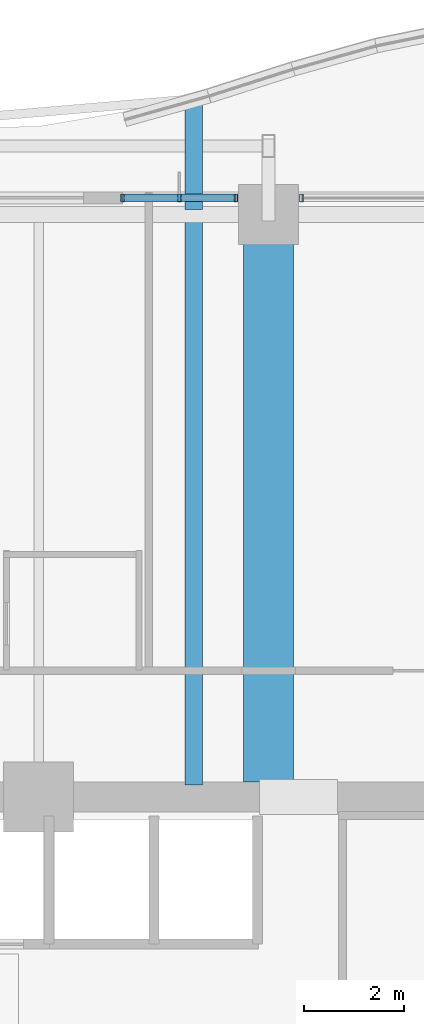
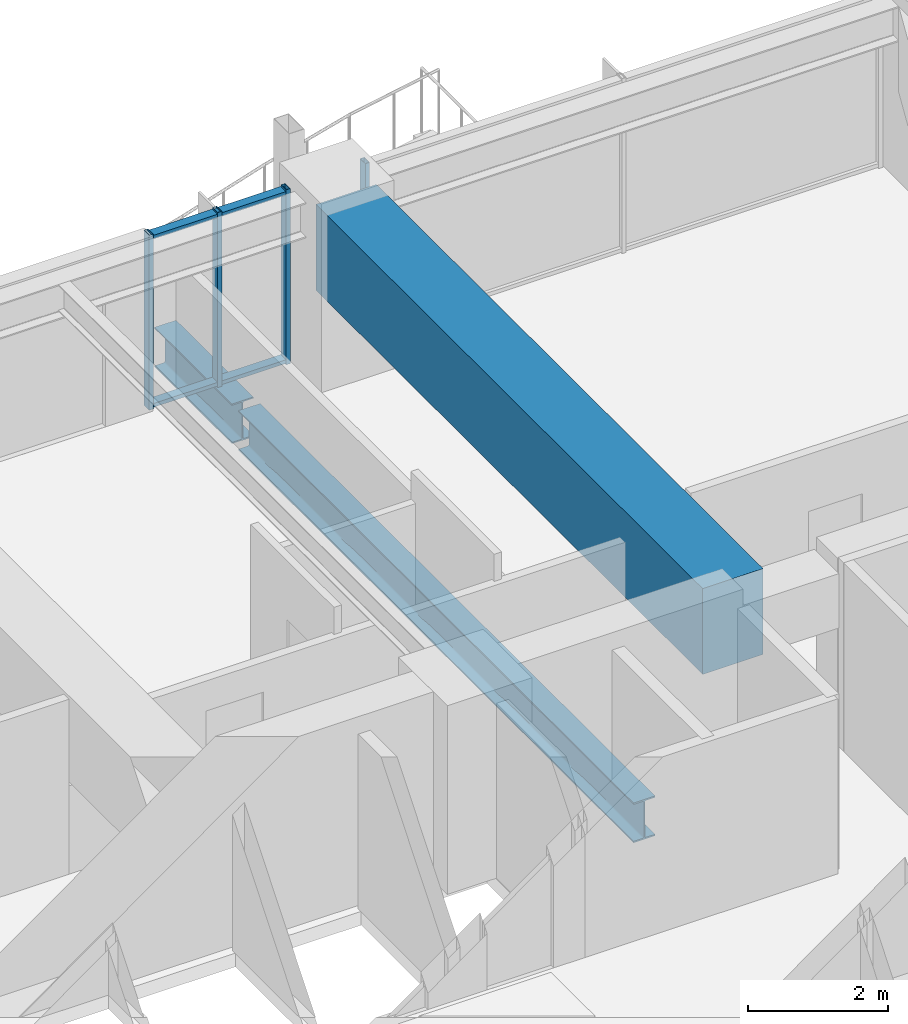
# One storey, part 21 of 37: 6 members, 3 beams, 2 elements without a shape of their own.
"""IFC4 building model written with IfcOpenShell, lengths in metres."""

from ifc_helpers import new_model, si_unit, direction, frame, origin, origin_2d, place, context, subcontext, project, spatial, rectangle, hollow_rectangle, i_section, extrude, material, material_profile, profile_set, type_object, element, aggregate, save


model = new_model("IFC4")

# Units and contexts
model_context = context("Model", 3, precision=1e-05, world=origin(), true_north=direction((0.0, 1.0)))
body_context = subcontext(model_context, "Body", "Model", "MODEL_VIEW")
ifc_project = project(units=[si_unit("LENGTHUNIT", "METRE"), si_unit("AREAUNIT", "SQUARE_METRE"), si_unit("VOLUMEUNIT", "CUBIC_METRE"), si_unit("PLANEANGLEUNIT", "RADIAN"), si_unit("MASSUNIT", "GRAM", prefix="KILO")], contexts=[model_context])

# Site, building, storey
site_placement = place(None, origin())
site = spatial("IfcSite", under=ifc_project, at=site_placement, CompositionType="ELEMENT")
building_placement = place(site_placement, origin())
building = spatial("IfcBuilding", under=site, at=building_placement, Name="Kolvaren Belvedere", CompositionType="ELEMENT")
storey_placement = place(building_placement, frame((0.0, 0.0, 43.60009765625)))
storey = spatial("IfcBuildingStorey", under=building, at=storey_placement, Name="L12", CompositionType="ELEMENT", Elevation=43.60009765625)

# Beams
ifc_material_1 = material(Name="Structural steel ASTM A992 Grade 50", Category="steel")
ifc_material_profile_1 = material_profile(ifc_material_1, i_section(OverallWidth=0.35498046875, OverallDepth=0.696044921875, WebThickness=0.015380859375, FlangeThickness=0.02490234375, FilletRadius=0.02197265625, at=origin_2d()), Name="W27X146")
ifc_profile_set_1 = profile_set([ifc_material_profile_1], Name="Structural steel ASTM A992 Grade 50")
beam_type_1 = type_object("IfcBeamType", Name="BM-CANT-BAL", PredefinedType="BEAM", material=ifc_profile_set_1)
beam_1_placement = place(storey_placement, frame((3.10009765625, 21.64501953125, -0.588134765625), z_axis=(0.0, 1.0, 0.0), x_axis=(-1.0, 0.0, 0.0)))
element("IfcBeam", 1, at=beam_1_placement, inside=storey, type_object=beam_type_1, Name="L12 Planted Balcony Cantilever BAL-N-2", PredefinedType="BEAM", context=body_context, shape_type="SweptSolid", body=[
    extrude(i_section(OverallWidth=0.35498046875, OverallDepth=0.696044921875, WebThickness=0.015380859375, FlangeThickness=0.02490234375, FilletRadius=0.02197265625, at=origin_2d()), origin(), (0.0, 0.0, 1.0), 2.213623046875),
])
ifc_material_2 = material(Name="Structural steel ASTM A992 Grade 50", Category="steel")
ifc_material_profile_2 = material_profile(ifc_material_2, i_section(OverallWidth=0.35498046875, OverallDepth=0.696044921875, WebThickness=0.015380859375, FlangeThickness=0.02490234375, FilletRadius=0.02197265625, at=origin_2d()), Name="W27X146")
ifc_profile_set_2 = profile_set([ifc_material_profile_2], Name="Structural steel ASTM A992 Grade 50")
beam_type_2 = type_object("IfcBeamType", Name="BM-GIRD-W27X146", PredefinedType="BEAM", material=ifc_profile_set_2)
beam_2_placement = place(storey_placement, frame((3.10009765625, 10.139892578125, -0.588134765625), z_axis=(0.0, 1.0, 0.0), x_axis=(-1.0, 0.0, 0.0)))
element("IfcBeam", 2, at=beam_2_placement, inside=storey, type_object=beam_type_2, Name="L12 Balcony Interior Back-Span Girder BAL-N-2", PredefinedType="BEAM", context=body_context, shape_type="SweptSolid", body=[
    extrude(i_section(OverallWidth=0.35498046875, OverallDepth=0.696044921875, WebThickness=0.015380859375, FlangeThickness=0.02490234375, FilletRadius=0.02197265625, at=origin_2d()), origin(), (0.0, 0.0, 1.0), 11.315185546875),
])
ifc_material_3 = material(Name="Concrete C50/60", Category="concrete")
ifc_material_profile_3 = material_profile(ifc_material_3, rectangle(XDim=1.0, YDim=1.5, at=origin_2d()), Name="RC 1000X1500")
ifc_profile_set_3 = profile_set([ifc_material_profile_3], Name="Concrete C50/60")
beam_type_3 = type_object("IfcBeamType", Name="BM-TG-1500", PredefinedType="BEAM", material=ifc_profile_set_3)
beam_3_placement = place(storey_placement, frame((4.60009765625, 10.199951171875, 2.309814453125), z_axis=(0.0, 1.0, 0.0), x_axis=(-1.0, 0.0, 0.0)))
element("IfcBeam", 3, at=beam_3_placement, inside=storey, type_object=beam_type_3, Name="L12 North Radial Girder P", PredefinedType="BEAM", context=body_context, shape_type="SweptSolid", body=[
    extrude(rectangle(XDim=1.0, YDim=1.5, at=origin_2d()), origin(), (0.0, 0.0, 1.0), 11.080078125),
])

# Curtain wall, members
ifc_material_4 = material(Name="Anodised pale-metal aluminium AA 6063-T6", Category="aluminium")
curtain_wall_type = type_object("IfcCurtainWallType", Name="CW-Z1-LOW", PredefinedType="NOTDEFINED", material=ifc_material_4)
curtain_wall_1_placement = place(storey_placement, origin())
curtain_wall_1 = element("IfcCurtainWall", 4, at=curtain_wall_1_placement, inside=storey, type_object=curtain_wall_type, Name="L12 Unitised Curtain Wall FCW-L12-N2-B1", PredefinedType="NOTDEFINED")
ifc_material_5 = material(Name="Anodised pale-metal aluminium AA 6063-T6", Category="aluminium")
ifc_material_profile_4 = material_profile(ifc_material_5, hollow_rectangle(XDim=0.070068359375, YDim=0.14990234375, WallThickness=0.004150390625, at=origin_2d()), Name="ALU-MUL-150X70")
ifc_profile_set_4 = profile_set([ifc_material_profile_4], Name="Anodised pale-metal aluminium AA 6063-T6")
member_type_1 = type_object("IfcMemberType", Name="CW-MUL-150", PredefinedType="MULLION", material=ifc_profile_set_4)
member_1_placement = place(storey_placement, frame((1.679931640625, 21.8798828125, 0.0), z_axis=(0.0, 0.0, 1.0), x_axis=(1.0, 0.0, 0.0)))
member_1 = element("IfcMember", 5, at=member_1_placement, type_object=member_type_1, Name="FCW-L12-N2-B1 Unitised Mullion 1", PredefinedType="MULLION", context=body_context, shape_type="SweptSolid", body=[
    extrude(hollow_rectangle(XDim=0.070068359375, YDim=0.14990234375, WallThickness=0.004150390625, at=origin_2d()), origin(), (0.0, 0.0, 1.0), 3.059814453125),
])
member_2_placement = place(storey_placement, frame((2.8125, 21.8798828125, 0.0), z_axis=(0.0, 0.0, 1.0), x_axis=(1.0, 0.0, 0.0)))
member_2 = element("IfcMember", 6, at=member_2_placement, type_object=member_type_1, Name="FCW-L12-N2-B1 Unitised Mullion 2", PredefinedType="MULLION", context=body_context, shape_type="SweptSolid", body=[
    extrude(hollow_rectangle(XDim=0.070068359375, YDim=0.14990234375, WallThickness=0.004150390625, at=origin_2d()), origin(), (0.0, 0.0, 1.0), 3.059814453125),
])
member_3_placement = place(storey_placement, frame((3.945068359375, 21.8798828125, 0.0), z_axis=(0.0, 0.0, 1.0), x_axis=(1.0, 0.0, 0.0)))
member_3 = element("IfcMember", 7, at=member_3_placement, type_object=member_type_1, Name="FCW-L12-N2-B1 Unitised Mullion 3", PredefinedType="MULLION", context=body_context, shape_type="SweptSolid", body=[
    extrude(hollow_rectangle(XDim=0.070068359375, YDim=0.14990234375, WallThickness=0.004150390625, at=origin_2d()), origin(), (0.0, 0.0, 1.0), 3.059814453125),
])

# Curtain wall, member
curtain_wall_2_placement = place(storey_placement, origin())
curtain_wall_2 = element("IfcCurtainWall", 8, at=curtain_wall_2_placement, inside=storey, type_object=curtain_wall_type, Name="L12 Unitised Curtain Wall FCW-L12-N2-B2", PredefinedType="NOTDEFINED")
member_4_placement = place(storey_placement, frame((5.2548828125, 21.8798828125, 0.0), z_axis=(0.0, 0.0, 1.0), x_axis=(1.0, 0.0, 0.0)))
member_4 = element("IfcMember", 9, at=member_4_placement, type_object=member_type_1, Name="FCW-L12-N2-B2 Unitised Mullion 1", PredefinedType="MULLION", context=body_context, shape_type="SweptSolid", body=[
    extrude(hollow_rectangle(XDim=0.070068359375, YDim=0.14990234375, WallThickness=0.004150390625, at=origin_2d()), origin(), (0.0, 0.0, 1.0), 3.059814453125),
])
aggregate(curtain_wall_2, [member_4])

# Member
ifc_material_6 = material(Name="Anodised pale-metal aluminium AA 6063-T6", Category="aluminium")
ifc_material_profile_5 = material_profile(ifc_material_6, hollow_rectangle(XDim=0.06494140625, YDim=0.14990234375, WallThickness=0.00390625, at=origin_2d()), Name="ALU-TRN-150X65")
ifc_profile_set_5 = profile_set([ifc_material_profile_5], Name="Anodised pale-metal aluminium AA 6063-T6")
member_type_2 = type_object("IfcMemberType", Name="CW-TRN-150", PredefinedType="USERDEFINED", material=ifc_profile_set_5)
member_5_placement = place(storey_placement, frame((1.679931640625, 21.8798828125, 0.059814453125), z_axis=(1.0, 0.0, 0.0), x_axis=(0.0, 0.0, 1.0)))
member_5 = element("IfcMember", 10, at=member_5_placement, type_object=member_type_2, Name="FCW-L12-N2-B1 Sill Transom", ObjectType="TRANSOM", PredefinedType="USERDEFINED", context=body_context, shape_type="SweptSolid", body=[
    extrude(hollow_rectangle(XDim=0.06494140625, YDim=0.14990234375, WallThickness=0.00390625, at=origin_2d()), origin(), (0.0, 0.0, 1.0), 2.26513671875),
])

member_6_placement = place(storey_placement, frame((1.679931640625, 21.8798828125, 3.0), z_axis=(1.0, 0.0, 0.0), x_axis=(0.0, 0.0, 1.0)))
member_6 = element("IfcMember", 11, at=member_6_placement, type_object=member_type_2, Name="FCW-L12-N2-B1 Head Transom", ObjectType="TRANSOM", PredefinedType="USERDEFINED", context=body_context, shape_type="SweptSolid", body=[
    extrude(hollow_rectangle(XDim=0.06494140625, YDim=0.14990234375, WallThickness=0.00390625, at=origin_2d()), origin(), (0.0, 0.0, 1.0), 2.26513671875),
])

aggregate(curtain_wall_1, [member_1, member_2, member_3, member_5, member_6])

save(model, "model.ifc")
